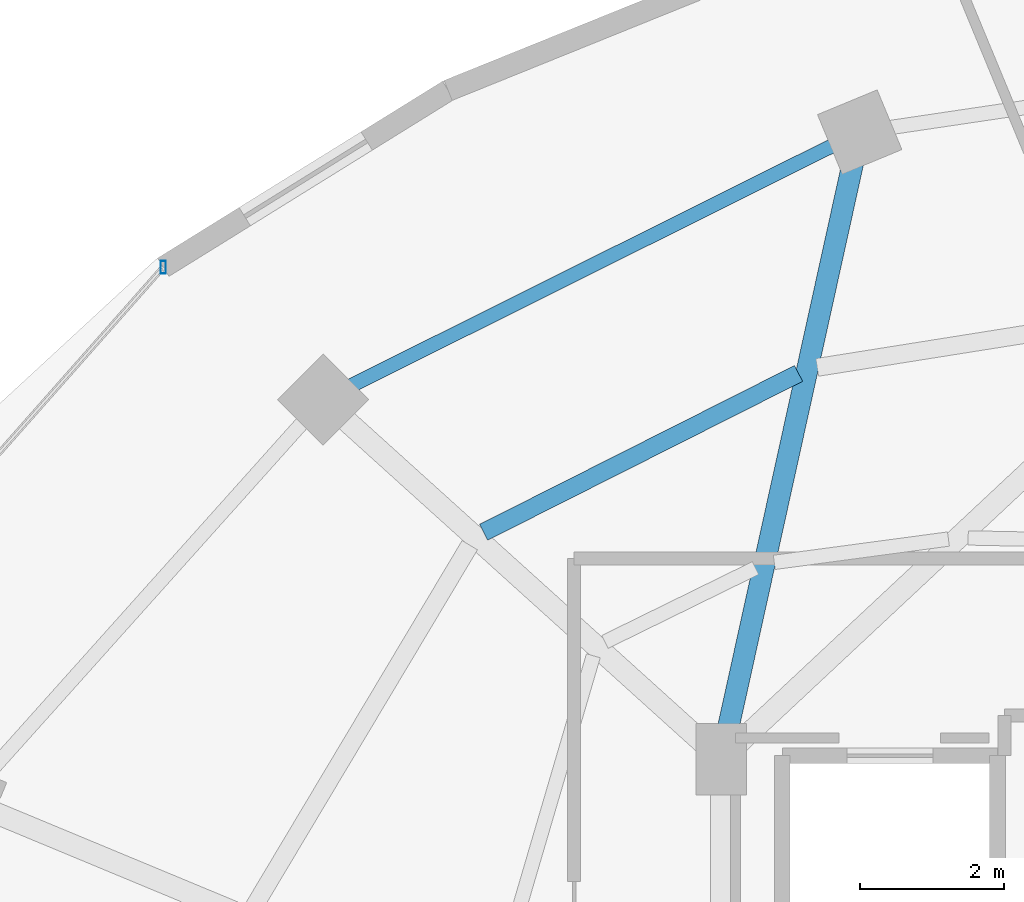
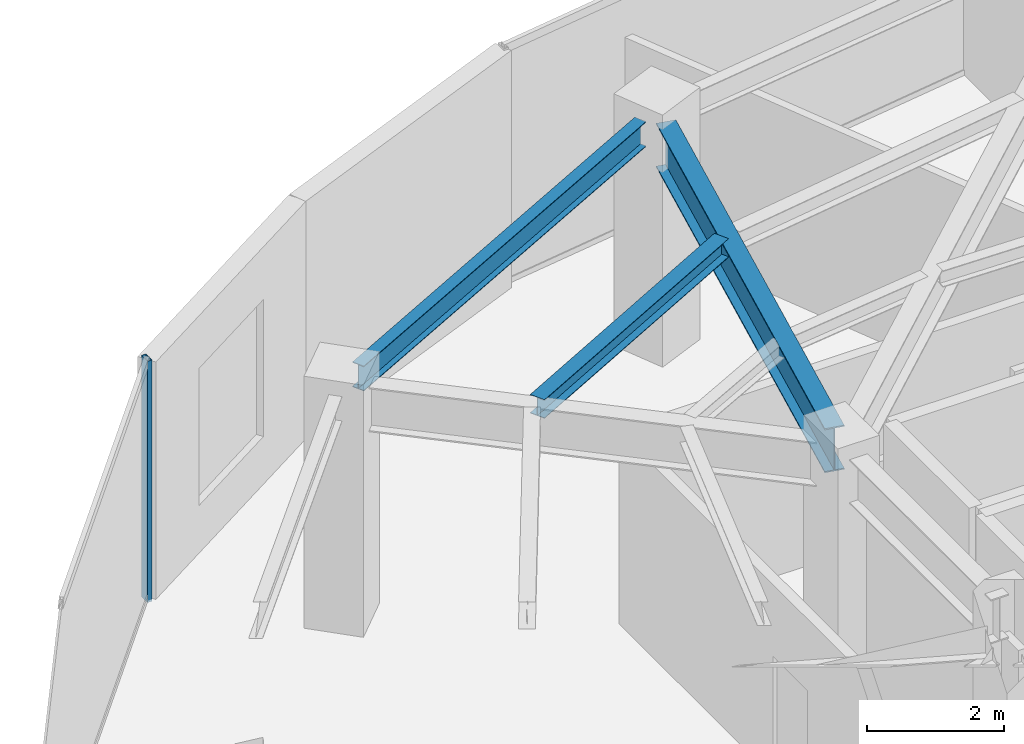
# One storey, part 16 of 27: 3 beams, 1 member, 1 element without a shape of its own.
"""IFC4 building model written with IfcOpenShell, lengths in metres."""

from ifc_helpers import new_model, si_unit, direction, frame, origin, origin_2d, place, context, subcontext, project, spatial, hollow_rectangle, i_section, extrude, material, material_profile, profile_set, type_object, element, aggregate, save


model = new_model("IFC4")

# Units and contexts
model_context = context("Model", 3, precision=1e-05, world=origin(), true_north=direction((0.0, 1.0)))
body_context = subcontext(model_context, "Body", "Model", "MODEL_VIEW")
ifc_project = project(units=[si_unit("LENGTHUNIT", "METRE"), si_unit("AREAUNIT", "SQUARE_METRE"), si_unit("VOLUMEUNIT", "CUBIC_METRE"), si_unit("PLANEANGLEUNIT", "RADIAN"), si_unit("MASSUNIT", "GRAM", prefix="KILO")], contexts=[model_context])

# Site, building, storey
site_placement = place(None, origin())
site = spatial("IfcSite", under=ifc_project, at=site_placement, CompositionType="ELEMENT")
building_placement = place(site_placement, origin())
building = spatial("IfcBuilding", under=site, at=building_placement, Name="Vorneva Point Tower", CompositionType="ELEMENT")
storey_placement = place(building_placement, frame((0.0, 0.0, 229.75)))
storey = spatial("IfcBuildingStorey", under=building, at=storey_placement, Name="L62", CompositionType="ELEMENT", Elevation=229.75)

# Beams
ifc_material_1 = material(Name="Steel S355", Category="steel")
ifc_material_profile_1 = material_profile(ifc_material_1, i_section(OverallWidth=0.300048828125, OverallDepth=0.7880859375, WebThickness=0.014404296875, FlangeThickness=0.02197265625, at=origin_2d()), Name="80Sh1")
ifc_profile_set_1 = profile_set([ifc_material_profile_1], Name="Steel S355")
beam_type_1 = type_object("IfcBeamType", Name="BM-GRD-80Sh1", PredefinedType="USERDEFINED", material=ifc_profile_set_1)
beam_1_placement = place(storey_placement, frame((29.084716796875, 41.462890625, 3.845947265625), z_axis=(-0.215522758292, -0.976498817541, 0.0), x_axis=(0.976498817541, -0.215522758292, 0.0)))
element("IfcBeam", 1, at=beam_1_placement, inside=storey, type_object=beam_type_1, Name="L62 Radial Primary Girder 06", ObjectType="GIRDER", PredefinedType="USERDEFINED", context=body_context, shape_type="SweptSolid", body=[
    extrude(i_section(OverallWidth=0.300048828125, OverallDepth=0.7880859375, WebThickness=0.014404296875, FlangeThickness=0.02197265625, at=origin_2d()), origin(), (0.0, 0.0, 1.0), 8.173095703125),
])
ifc_material_profile_2 = material_profile(ifc_material_1, i_section(OverallWidth=0.2490234375, OverallDepth=0.333984375, WebThickness=0.008056640625, FlangeThickness=0.010986328125, at=origin_2d()), Name="35Sh1")
ifc_profile_set_2 = profile_set([ifc_material_profile_2], Name="Steel S355")
beam_type_2 = type_object("IfcBeamType", Name="BM-SEC-35Sh1", PredefinedType="BEAM", material=ifc_profile_set_2)
beam_2_placement = place(storey_placement, frame((28.327392578125, 38.527587890625, 4.072998046875), z_axis=(-0.89285196268, -0.450350277827, 0.0), x_axis=(0.450350277827, -0.89285196268, 0.0)))
element("IfcBeam", 2, at=beam_2_placement, inside=storey, type_object=beam_type_2, Name="L62 Secondary Floor Beam 1.06", PredefinedType="BEAM", context=body_context, shape_type="SweptSolid", body=[
    extrude(i_section(OverallWidth=0.2490234375, OverallDepth=0.333984375, WebThickness=0.008056640625, FlangeThickness=0.010986328125, at=origin_2d()), origin(), (0.0, 0.0, 1.0), 4.914794921875),
])
ifc_material_profile_3 = material_profile(ifc_material_1, i_section(OverallWidth=0.198974609375, OverallDepth=0.446044921875, WebThickness=0.008056640625, FlangeThickness=0.011962890625, at=origin_2d()), Name="45B1")
ifc_profile_set_3 = profile_set([ifc_material_profile_3], Name="Steel S355")
beam_type_3 = type_object("IfcBeamType", Name="BM-SPN-45B1", PredefinedType="SPANDREL", material=ifc_profile_set_3)
beam_3_placement = place(storey_placement, frame((28.789794921875, 41.696533203125, 4.01708984375), z_axis=(-0.894922371084, -0.446221861559, 0.0), x_axis=(0.446221861559, -0.894922371084, 0.0)))
element("IfcBeam", 3, at=beam_3_placement, inside=storey, type_object=beam_type_3, Name="L62 Perimeter Spandrel Ring Beam 06", PredefinedType="SPANDREL", context=body_context, shape_type="SweptSolid", body=[
    extrude(i_section(OverallWidth=0.198974609375, OverallDepth=0.446044921875, WebThickness=0.008056640625, FlangeThickness=0.011962890625, at=origin_2d()), origin(), (0.0, 0.0, 1.0), 7.48583984375),
])

# Curtain wall, member
ifc_material_2 = material(Name="Pale anodised aluminium", Category="aluminium")
curtain_wall_type = type_object("IfcCurtainWallType", Name="CW-SKY-SYS", PredefinedType="NOTDEFINED", material=ifc_material_2)
curtain_wall_placement = place(storey_placement, origin())
curtain_wall = element("IfcCurtainWall", 4, at=curtain_wall_placement, inside=storey, type_object=curtain_wall_type, Name="L62 Unitised Curtain Wall CW-L62-R03", PredefinedType="NOTDEFINED")
ifc_material_profile_4 = material_profile(ifc_material_2, hollow_rectangle(XDim=0.074951171875, YDim=0.179931640625, WallThickness=0.00390625, at=origin_2d()), Name="AL-MUL 180x75x4")
ifc_profile_set_4 = profile_set([ifc_material_profile_4], Name="Pale anodised aluminium")
member_type = type_object("IfcMemberType", Name="CW-MUL-180", PredefinedType="MULLION", material=ifc_profile_set_4)
member_placement = place(storey_placement, frame((19.473876953125, 40.0078125, -0.0400390625), z_axis=(0.0, 0.0, 1.0), x_axis=(1.0, 0.0, 0.0)))
member = element("IfcMember", 5, at=member_placement, type_object=member_type, Name="CW-L62-R03 Mullion 01", PredefinedType="MULLION", context=body_context, shape_type="SweptSolid", body=[
    extrude(hollow_rectangle(XDim=0.074951171875, YDim=0.179931640625, WallThickness=0.00390625, at=origin_2d()), origin(), (0.0, 0.0, 1.0), 4.31005859375),
])
aggregate(curtain_wall, [member])

save(model, "model.ifc")
